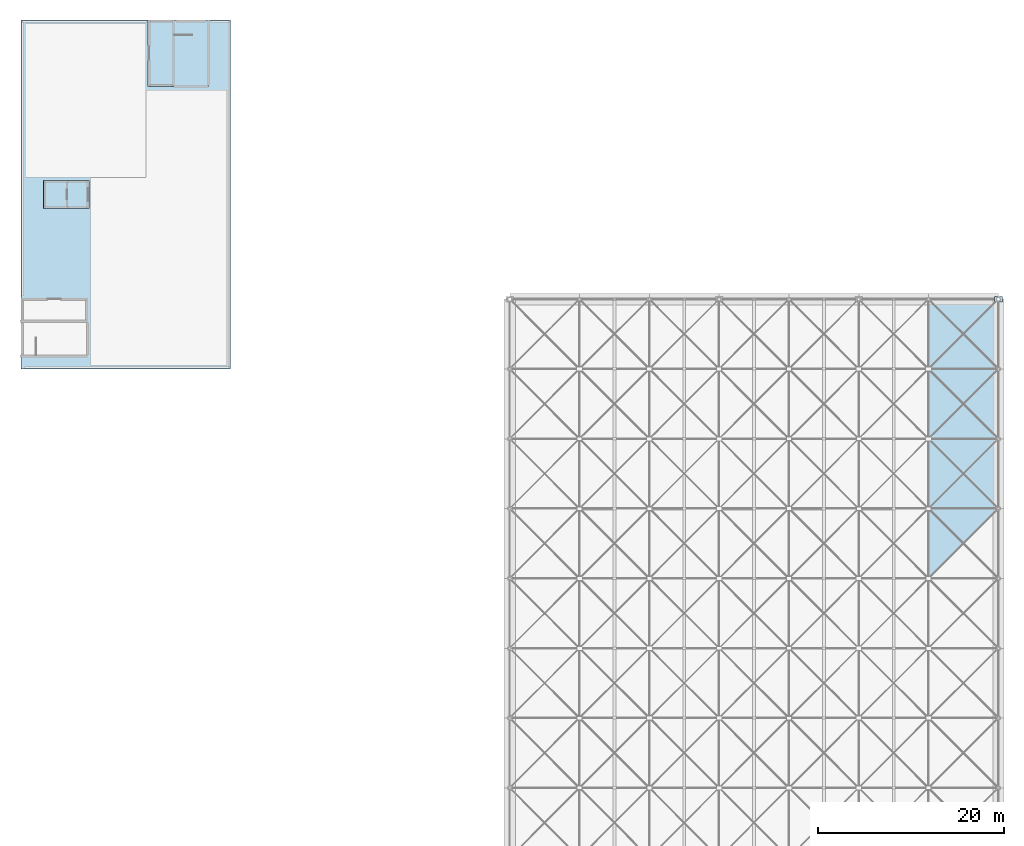
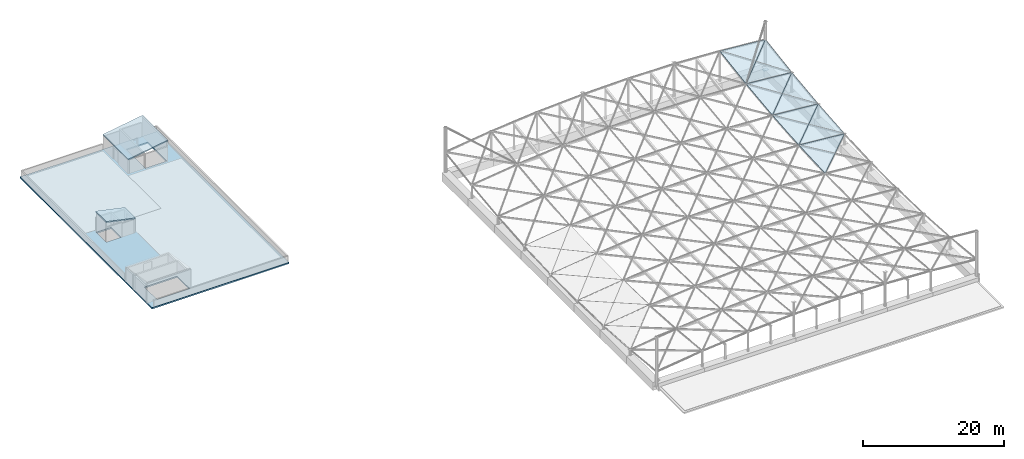
# One storey, part 12 of 17: 10 slabs, 1 plate.
"""IFC4 building model written with IfcOpenShell, lengths in metres."""

from ifc_helpers import new_model, si_unit, direction, frame, origin, origin_2d, place, context, subcontext, project, spatial, polyline, rectangle, outline, extrude, material, layer, layer_set, type_object, element, save


model = new_model("IFC4")

# Units and contexts
model_context = context("Model", 3, precision=1e-05, world=origin(), true_north=direction((0.0, 1.0)))
body_context = subcontext(model_context, "Body", "Model", "MODEL_VIEW")
ifc_project = project(units=[si_unit("LENGTHUNIT", "METRE"), si_unit("AREAUNIT", "SQUARE_METRE"), si_unit("VOLUMEUNIT", "CUBIC_METRE"), si_unit("PLANEANGLEUNIT", "RADIAN"), si_unit("MASSUNIT", "GRAM", prefix="KILO")], contexts=[model_context])

# Site, building, storey
site_placement = place(None, origin())
site = spatial("IfcSite", under=ifc_project, at=site_placement, CompositionType="ELEMENT")
building_placement = place(site_placement, origin())
building = spatial("IfcBuilding", under=site, at=building_placement, Name="Qasida Concert Hall", CompositionType="ELEMENT")
storey_placement = place(building_placement, frame((0.0, 0.0, 25.199951171875)))
storey = spatial("IfcBuildingStorey", under=building, at=storey_placement, Name="RF", CompositionType="ELEMENT", Elevation=25.199951171875)

# Plate
ifc_material_1 = material(Name="Steel S355J2", Category="steel")
ifc_layer_1 = layer(ifc_material_1, 0.0400390625, Name="Steel S355J2")
ifc_layer_set_1 = layer_set([ifc_layer_1], Name="Steel S355J2")
plate_type = type_object("IfcPlateType", Name="PLT-PL-MB1", PredefinedType="USERDEFINED", material=ifc_layer_set_1)
plate_placement = place(storey_placement, frame((105.0, 82.5, 0.0), z_axis=(0.0, 0.0, 1.0), x_axis=(1.0, 0.0, 0.0)))
element("IfcPlate", 1, at=plate_placement, inside=storey, type_object=plate_type, Name="Cable-net mast baseplate MS-04", ObjectType="GUSSET_PLATE", PredefinedType="USERDEFINED", context=body_context, shape_type="SweptSolid", body=[
    extrude(rectangle(XDim=0.840087890625, YDim=0.580078125, at=origin_2d()), origin(), (0.0, 0.0, 1.0), 0.0400390625),
])

# Slabs
ifc_material_2 = material(Name="Concrete C40/50", Category="concrete")
ifc_layer_2 = layer(ifc_material_2, 0.179931640625, Name="Concrete C40/50")
ifc_layer_set_2 = layer_set([ifc_layer_2], Name="Concrete C40/50")
slab_type_1 = type_object("IfcSlabType", Name="SL-RS-180", PredefinedType="USERDEFINED", material=ifc_layer_set_2)
slab_1_placement = place(storey_placement, frame((97.5, 52.5, 2.85107421875), z_axis=(0.086365673825, -0.046422359562, 0.995181357802), x_axis=(0.706822173597, 0.706822173597, -0.028369522788)))
element("IfcSlab", 2, at=slab_1_placement, inside=storey, type_object=slab_type_1, Name="Cable-net roof facet 106", ObjectType="TENSILE_ROOF_SHELL", PredefinedType="USERDEFINED", context=body_context, shape_type="SweptSolid", body=[
    extrude(outline(polyline([(0.0, 0.0), (10.610872550634134, -2.0816681711721685e-17), (5.291241124693567, 5.326834411050031), (0.0, 0.0)])), origin(), (0.0, 0.0, -1.0), 0.179931640625),
])
slab_2_placement = place(storey_placement, frame((97.5, 60.0, 3.200927734375), z_axis=(0.086162456143, -0.082736642058, 0.992839704692), x_axis=(0.996255419657, 0.0, -0.086458885052)))
element("IfcSlab", 3, at=slab_2_placement, inside=storey, type_object=slab_type_1, Name="Cable-net roof facet 107", ObjectType="TENSILE_ROOF_SHELL", PredefinedType="USERDEFINED", context=body_context, shape_type="SweptSolid", body=[
    extrude(outline(polyline([(0.0, 0.0), (7.52818991196431, -6.938893903907228e-18), (7.474153108806656, 7.525802616592099), (0.0, 0.0)])), origin(), (0.0, 0.0, -1.0), 0.179931640625),
])
slab_3_placement = place(storey_placement, frame((97.5, 60.0, 3.200927734375), z_axis=(0.086162456143, -0.082736642058, 0.992839704692), x_axis=(0.707104676476, 0.707104676476, -0.002439879418)))
element("IfcSlab", 4, at=slab_3_placement, inside=storey, type_object=slab_type_1, Name="Cable-net roof facet 108", ObjectType="TENSILE_ROOF_SHELL", PredefinedType="USERDEFINED", context=body_context, shape_type="SweptSolid", body=[
    extrude(outline(polyline([(0.0, 0.0), (10.606633288550555, -1.986258379993444e-16), (5.301760148933968, 5.3415320202331165), (0.0, 0.0)])), origin(), (0.0, 0.0, -1.0), 0.179931640625),
])
slab_4_placement = place(storey_placement, frame((97.5, 67.5, 3.825927734375), z_axis=(0.085847710635, -0.118692671193, 0.98921292975), x_axis=(0.996255419657, 0.0, -0.086458885052)))
element("IfcSlab", 5, at=slab_4_placement, inside=storey, type_object=slab_type_1, Name="Cable-net roof facet 109", ObjectType="TENSILE_ROOF_SHELL", PredefinedType="USERDEFINED", context=body_context, shape_type="SweptSolid", body=[
    extrude(outline(polyline([(0.0, 0.0), (7.52818991196431, -1.3877787807814457e-17), (7.4503853586677815, 7.553394646102708), (0.0, 0.0)])), origin(), (0.0, 0.0, -1.0), 0.179931640625),
])
slab_5_placement = place(storey_placement, frame((97.5, 67.5, 3.825927734375), z_axis=(0.085879345855, -0.118724090051, 0.989206413443), x_axis=(0.706911974692, 0.706911974692, 0.02347168666)))
element("IfcSlab", 6, at=slab_5_placement, inside=storey, type_object=slab_type_1, Name="Cable-net roof facet 110", ObjectType="TENSILE_ROOF_SHELL", PredefinedType="USERDEFINED", context=body_context, shape_type="SweptSolid", body=[
    extrude(outline(polyline([(0.0, 0.0), (10.609524620473074, 5.551115123125783e-17), (5.322967766417649, 5.359690089082707), (0.0, 0.0)])), origin(), (0.0, 0.0, -1.0), 0.179931640625),
])
slab_6_placement = place(storey_placement, frame((97.5, 75.0, 4.72607421875), z_axis=(0.085456356328, -0.154218763781, 0.984334183121), x_axis=(0.996252625766, 0.0, -0.086491072686)))
element("IfcSlab", 7, at=slab_6_placement, inside=storey, type_object=slab_type_1, Name="Cable-net roof facet 111", ObjectType="TENSILE_ROOF_SHELL", PredefinedType="USERDEFINED", context=body_context, shape_type="SweptSolid", body=[
    extrude(outline(polyline([(0.0, 0.0), (7.528211024019704, 1.3877787807814457e-17), (7.426579790416595, 7.590810947509775), (0.0, 0.0)])), origin(), (0.0, 0.0, -1.0), 0.179931640625),
])
slab_7_placement = place(storey_placement, frame((97.5, 75.0, 4.72607421875), z_axis=(0.085456356328, -0.154218763781, 0.984334183121), x_axis=(0.706245691957, 0.706245691957, 0.049336043455)))
element("IfcSlab", 8, at=slab_7_placement, inside=storey, type_object=slab_type_1, Name="Cable-net roof facet 112", ObjectType="TENSILE_ROOF_SHELL", PredefinedType="USERDEFINED", context=body_context, shape_type="SweptSolid", body=[
    extrude(outline(polyline([(0.0, 0.0), (10.619533804468935, 5.273559366969494e-16), (5.354814949725192, 5.381142685589887), (0.0, 0.0)])), origin(), (0.0, 0.0, -1.0), 0.179931640625),
])
ifc_layer_3 = layer(ifc_material_2, 0.199951171875, Name="Concrete C40/50")
ifc_layer_set_3 = layer_set([ifc_layer_3], Name="Concrete C40/50")
slab_type_2 = type_object("IfcSlabType", Name="SL-RS-200", PredefinedType="ROOF", material=ifc_layer_set_3)
slab_8_placement = place(storey_placement, frame((20.125, 105.35498046875, 3.650146484375), z_axis=(-0.159478413827, 0.0, 0.987201415884), x_axis=(0.0, 1.0, 0.0)))
element("IfcSlab", 9, at=slab_8_placement, inside=storey, type_object=slab_type_2, Name="V5 ST-06 stair headhouse pitched roof (RS-200)", PredefinedType="ROOF", context=body_context, shape_type="SweptSolid", body=[
    extrude(outline(polyline([(0.0, 0.0), (7.14501953125, 0.0), (7.14501953125, 6.58426932479578), (0.0, 6.58426932479578), (0.0, 0.0)])), origin(), (0.0, 0.0, -1.0), 0.199951171875),
])
slab_9_placement = place(storey_placement, frame((2.43994140625, 92.239990234375, 3.650146484375), z_axis=(0.211181924559, 0.0, 0.977446773354), x_axis=(0.0, 1.0, 0.0)))
element("IfcSlab", 10, at=slab_9_placement, inside=storey, type_object=slab_type_2, Name="V5 LF-07 lift headhouse pitched roof (RS-200)", PredefinedType="ROOF", context=body_context, shape_type="SweptSolid", body=[
    extrude(outline(polyline([(0.0, 0.0), (3.02001953125, 0.0), (3.02001953125, -4.972247650068442), (0.0, -4.972247650068442), (0.0, 0.0)])), origin(), (0.0, 0.0, -1.0), 0.199951171875),
])
ifc_layer_4 = layer(ifc_material_2, 0.239990234375, Name="Concrete C40/50")
ifc_layer_set_4 = layer_set([ifc_layer_4], Name="Concrete C40/50")
slab_type_3 = type_object("IfcSlabType", Name="SL-RS-240", PredefinedType="ROOF", material=ifc_layer_set_4)
slab_10_placement = place(storey_placement, frame((0.0, 0.0, -0.239990234375)))
element("IfcSlab", 11, at=slab_10_placement, inside=storey, type_object=slab_type_3, Name="V5 top ziggurat roof (RS-240)", PredefinedType="ROOF", context=body_context, shape_type="SweptSolid", body=[
    extrude(outline(polyline([(0.0, 75.0), (22.5, 75.0), (22.5, 112.5), (0.0, 112.5), (0.0, 75.0)]), holes=[polyline([(1.659912109375, 76.5), (7.02001953125, 76.5), (7.02001953125, 80.0), (1.659912109375, 80.0), (1.659912109375, 76.5)]), polyline([(2.550048828125, 92.35009765625), (4.949951171875, 92.35009765625), (4.949951171875, 95.14990234375), (2.550048828125, 95.14990234375), (2.550048828125, 92.35009765625)]), polyline([(16.5, 105.47998046875), (20.0, 105.47998046875), (20.0, 110.840087890625), (16.5, 110.840087890625), (16.5, 105.47998046875)])]), origin(), (0.0, 0.0, 1.0), 0.239990234375),
])

save(model, "model.ifc")
